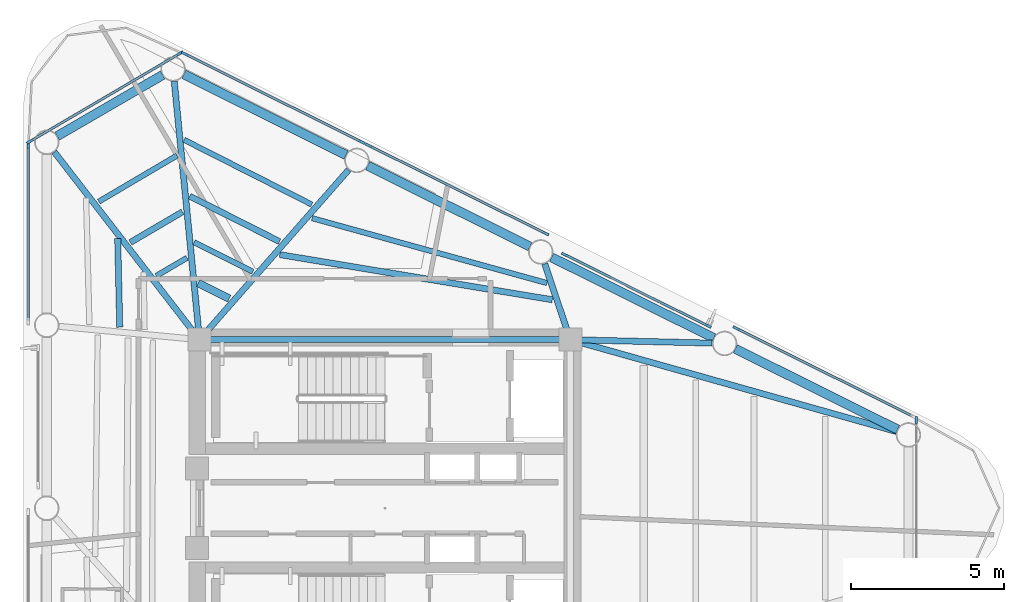
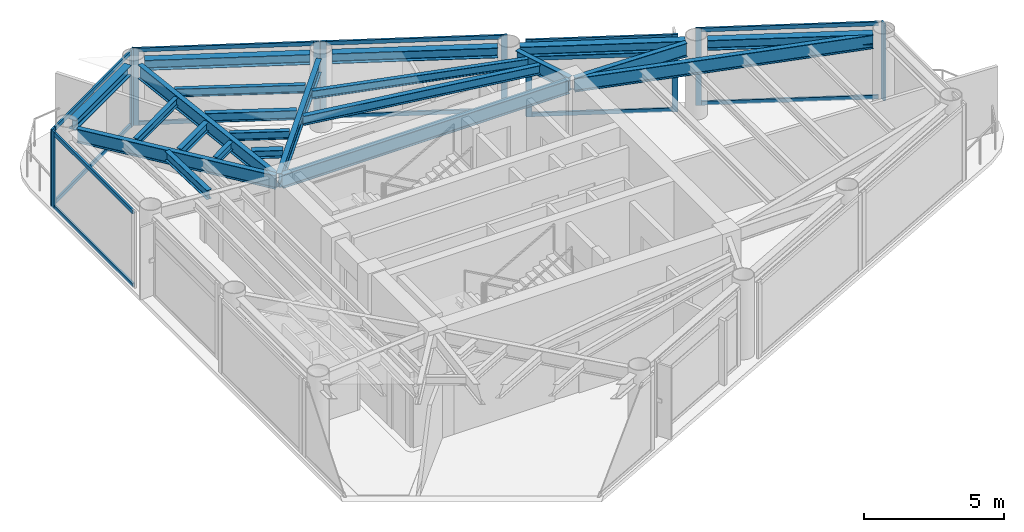
# One storey, part 3 of 10: 24 members, 22 beams, 7 elements without a shape of their own.
"""IFC4 building model written with IfcOpenShell, lengths in metres."""

from ifc_helpers import new_model, si_unit, direction, frame, origin, origin_2d, place, context, subcontext, project, spatial, rectangle, i_section, extrude, source, transform, mapped, material, layer, layer_set, material_profile, profile_set, type_object, element, aggregate, save


model = new_model("IFC4")

# Units and contexts
model_context = context("Model", 3, precision=1e-05, world=origin(), true_north=direction((0.0, 1.0)))
body_context = subcontext(model_context, "Body", "Model", "MODEL_VIEW")
ifc_project = project(units=[si_unit("LENGTHUNIT", "METRE"), si_unit("AREAUNIT", "SQUARE_METRE"), si_unit("VOLUMEUNIT", "CUBIC_METRE"), si_unit("PLANEANGLEUNIT", "RADIAN"), si_unit("MASSUNIT", "GRAM", prefix="KILO")], contexts=[model_context])

# Site, building, storey
site_placement = place(None, origin())
site = spatial("IfcSite", under=ifc_project, at=site_placement, CompositionType="ELEMENT")
building_placement = place(site_placement, origin())
building = spatial("IfcBuilding", under=site, at=building_placement, Name="Yunling Apex Tower", CompositionType="ELEMENT")
storey_placement = place(building_placement, frame((0.0, 0.0, 310.550048828125)))
storey = spatial("IfcBuildingStorey", under=building, at=storey_placement, Name="L76", CompositionType="ELEMENT", Elevation=310.550048828125)

# Beams
ifc_material_1 = material(Name="Steel Q355B", Category="steel")
ifc_material_profile_1 = material_profile(ifc_material_1, i_section(OverallWidth=0.199951171875, OverallDepth=0.60009765625, WebThickness=0.010986328125, FlangeThickness=0.01708984375, FilletRadius=0.02197265625, at=origin_2d()))
ifc_profile_set_1 = profile_set([ifc_material_profile_1], Name="Steel Q355B")
beam_type_1 = type_object("IfcBeamType", Name="BG-PRI-5", PredefinedType="USERDEFINED", material=ifc_profile_set_1)
shared_shape_1 = source(origin(), body_context, "Body", "SweptSolid", [
    extrude(i_section(OverallWidth=0.199951171875, OverallDepth=0.60009765625, WebThickness=0.010986328125, FlangeThickness=0.01708984375, FilletRadius=0.02197265625, at=origin_2d()), origin(), (0.0, 0.0, 1.0), 11.7998046875),
])
beam_1_placement = place(storey_placement, frame((5.89990234375, 5.5, 2.969970703125), z_axis=(-1.0, 0.0, 0.0), x_axis=(0.0, -1.0, 0.0)))
element("IfcBeam", 1, at=beam_1_placement, inside=storey, type_object=beam_type_1, Name="L76 Core Ring Tie Beam 3", ObjectType="GIRDER", PredefinedType="USERDEFINED", context=body_context, shape_type="MappedRepresentation", body=[
    mapped(shared_shape_1, transform((0.0, 0.0, 0.0), scale=1.0)),
])
ifc_material_profile_2 = material_profile(ifc_material_1, i_section(OverallWidth=0.300048828125, OverallDepth=0.43994140625, WebThickness=0.010986328125, FlangeThickness=0.01806640625, FilletRadius=0.02197265625, at=origin_2d()))
ifc_profile_set_2 = profile_set([ifc_material_profile_2], Name="Steel Q355B")
beam_type_2 = type_object("IfcBeamType", Name="BP-SPN-3", PredefinedType="SPANDREL", material=ifc_profile_set_2)
shared_shape_2 = source(origin(), body_context, "Body", "SweptSolid", [
    extrude(i_section(OverallWidth=0.300048828125, OverallDepth=0.43994140625, WebThickness=0.010986328125, FlangeThickness=0.01806640625, FilletRadius=0.02197265625, at=origin_2d()), origin(), (0.0, 0.0, 1.0), 5.914306640625),
])
for number, where, z_axis, x_axis, name in (
    (2, (4.733642578125, 8.539794921875, 3.050048828125), (-0.895267705164, 0.445528602999, 0.0), (-0.445528602999, -0.895267705164, 0.0), "L76 Perimeter Spandrel Beam 8"),
    (3, (-1.2666015625, 11.52587890625, 3.050048828125), (-0.895243044542, 0.445578153861, 0.0), (-0.445578153861, -0.895243044542, 0.0), "L76 Perimeter Spandrel Beam 9"),
):
    element("IfcBeam", number, at=place(storey_placement, frame(where, z_axis=z_axis, x_axis=x_axis)), inside=storey, type_object=beam_type_2, Name=name, PredefinedType="SPANDREL", context=body_context, shape_type="MappedRepresentation", body=[
        mapped(shared_shape_2, transform((0.0, 0.0, 0.0), scale=1.0)),
    ])
shared_shape_3 = source(origin(), body_context, "Body", "SweptSolid", [
    extrude(i_section(OverallWidth=0.300048828125, OverallDepth=0.43994140625, WebThickness=0.010986328125, FlangeThickness=0.01806640625, FilletRadius=0.02197265625, at=origin_2d()), origin(), (0.0, 0.0, 1.0), 5.9140625),
])
for number, where, z_axis, x_axis, name in (
    (4, (16.73388671875, 2.567138671875, 3.050048828125), (-0.895259510924, 0.445545068539, 0.0), (-0.445545068539, -0.895259510924, 0.0), "L76 Perimeter Spandrel Beam 6"),
    (5, (10.733642578125, 5.553466796875, 3.050048828125), (-0.895259510924, 0.445545068539, 0.0), (-0.445545068539, -0.895259510924, 0.0), "L76 Perimeter Spandrel Beam 7"),
):
    element("IfcBeam", number, at=place(storey_placement, frame(where, z_axis=z_axis, x_axis=x_axis)), inside=storey, type_object=beam_type_2, Name=name, PredefinedType="SPANDREL", context=body_context, shape_type="MappedRepresentation", body=[
        mapped(shared_shape_3, transform((0.0, 0.0, 0.0), scale=1.0)),
    ])
shared_shape_4 = source(origin(), body_context, "Body", "SweptSolid", [
    extrude(i_section(OverallWidth=0.300048828125, OverallDepth=0.43994140625, WebThickness=0.010986328125, FlangeThickness=0.01806640625, FilletRadius=0.02197265625, at=origin_2d()), origin(), (0.0, 0.0, 1.0), 3.978515625),
])
beam_2_placement = place(storey_placement, frame((-7.2548828125, 14.138916015625, 3.050048828125), z_axis=(-0.865064744393, -0.501660231639, 0.0), x_axis=(0.501660231639, -0.865064744393, 0.0)))
element("IfcBeam", 6, at=beam_2_placement, inside=storey, type_object=beam_type_2, Name="L76 Perimeter Spandrel Beam 10", PredefinedType="SPANDREL", context=body_context, shape_type="MappedRepresentation", body=[
    mapped(shared_shape_4, transform((0.0, 0.0, 0.0), scale=1.0)),
])
shared_shape_5 = source(origin(), body_context, "Body", "SweptSolid", [
    extrude(i_section(OverallWidth=0.199951171875, OverallDepth=0.60009765625, WebThickness=0.010986328125, FlangeThickness=0.01708984375, FilletRadius=0.02197265625, at=origin_2d()), origin(), (0.0, 0.0, 1.0), 8.390869140625),
])
beam_3_placement = place(storey_placement, frame((-6.874267578125, 13.9306640625, 2.969970703125), z_axis=(0.097296792844, -0.995255411491, 0.0), x_axis=(0.995255411491, 0.097296792844, 0.0)))
element("IfcBeam", 7, at=beam_3_placement, inside=storey, type_object=beam_type_1, Name="L76 Radial Primary Girder R10", ObjectType="GIRDER", PredefinedType="USERDEFINED", context=body_context, shape_type="MappedRepresentation", body=[
    mapped(shared_shape_5, transform((0.0, 0.0, 0.0), scale=1.0)),
])
shared_shape_6 = source(origin(), body_context, "Body", "SweptSolid", [
    extrude(i_section(OverallWidth=0.199951171875, OverallDepth=0.60009765625, WebThickness=0.010986328125, FlangeThickness=0.01708984375, FilletRadius=0.02197265625, at=origin_2d()), origin(), (0.0, 0.0, 1.0), 7.297119140625),
])
beam_4_placement = place(storey_placement, frame((-1.18310546875, 11.043701171875, 2.969970703125), z_axis=(-0.659747259747, -0.751487560281, 0.0), x_axis=(0.751487560281, -0.659747259747, 0.0)))
element("IfcBeam", 8, at=beam_4_placement, inside=storey, type_object=beam_type_1, Name="L76 Radial Primary Girder R09", ObjectType="GIRDER", PredefinedType="USERDEFINED", context=body_context, shape_type="MappedRepresentation", body=[
    mapped(shared_shape_6, transform((0.0, 0.0, 0.0), scale=1.0)),
])
shared_shape_7 = source(origin(), body_context, "Body", "SweptSolid", [
    extrude(i_section(OverallWidth=0.199951171875, OverallDepth=0.60009765625, WebThickness=0.010986328125, FlangeThickness=0.01708984375, FilletRadius=0.02197265625, at=origin_2d()), origin(), (0.0, 0.0, 1.0), 2.533935546875),
])
beam_5_placement = place(storey_placement, frame((5.21630859375, 7.977294921875, 2.969970703125), z_axis=(0.318914628896, -0.947783445454, 0.0), x_axis=(0.947783445454, 0.318914628896, 0.0)))
element("IfcBeam", 9, at=beam_5_placement, inside=storey, type_object=beam_type_1, Name="L76 Radial Primary Girder R08", ObjectType="GIRDER", PredefinedType="USERDEFINED", context=body_context, shape_type="MappedRepresentation", body=[
    mapped(shared_shape_7, transform((0.0, 0.0, 0.0), scale=1.0)),
])
shared_shape_8 = source(origin(), body_context, "Body", "SweptSolid", [
    extrude(i_section(OverallWidth=0.199951171875, OverallDepth=0.60009765625, WebThickness=0.010986328125, FlangeThickness=0.01708984375, FilletRadius=0.02197265625, at=origin_2d()), origin(), (0.0, 0.0, 1.0), 4.5498046875),
])
beam_6_placement = place(storey_placement, frame((10.678466796875, 5.3876953125, 2.969970703125), z_axis=(-0.999705840498, 0.024253504369, 0.0), x_axis=(-0.024253504369, -0.999705840498, 0.0)))
element("IfcBeam", 10, at=beam_6_placement, inside=storey, type_object=beam_type_1, Name="L76 Radial Primary Girder R07", ObjectType="GIRDER", PredefinedType="USERDEFINED", context=body_context, shape_type="MappedRepresentation", body=[
    mapped(shared_shape_8, transform((0.0, 0.0, 0.0), scale=1.0)),
])
shared_shape_9 = source(origin(), body_context, "Body", "SweptSolid", [
    extrude(i_section(OverallWidth=0.199951171875, OverallDepth=0.60009765625, WebThickness=0.010986328125, FlangeThickness=0.01708984375, FilletRadius=0.02197265625, at=origin_2d()), origin(), (0.0, 0.0, 1.0), 10.97802734375),
])
beam_7_placement = place(storey_placement, frame((16.69384765625, 2.502197265625, 2.969970703125), z_axis=(-0.962552702816, 0.271094622414, 0.0), x_axis=(-0.271094622414, -0.962552702816, 0.0)))
element("IfcBeam", 11, at=beam_7_placement, inside=storey, type_object=beam_type_1, Name="L76 Radial Primary Girder R06", ObjectType="GIRDER", PredefinedType="USERDEFINED", context=body_context, shape_type="MappedRepresentation", body=[
    mapped(shared_shape_9, transform((0.0, 0.0, 0.0), scale=1.0)),
])
shared_shape_10 = source(origin(), body_context, "Body", "SweptSolid", [
    extrude(i_section(OverallWidth=0.199951171875, OverallDepth=0.60009765625, WebThickness=0.010986328125, FlangeThickness=0.01708984375, FilletRadius=0.02197265625, at=origin_2d()), origin(), (0.0, 0.0, 1.0), 7.661376953125),
])
beam_8_placement = place(storey_placement, frame((-10.78759765625, 11.62255859375, 2.969970703125), z_axis=(0.611959789037, -0.790888877531, 0.0), x_axis=(0.790888877531, 0.611959789037, 0.0)))
element("IfcBeam", 12, at=beam_8_placement, inside=storey, type_object=beam_type_1, Name="L76 Radial Primary Girder R11", ObjectType="GIRDER", PredefinedType="USERDEFINED", context=body_context, shape_type="MappedRepresentation", body=[
    mapped(shared_shape_10, transform((0.0, 0.0, 0.0), scale=1.0)),
])
ifc_material_profile_3 = material_profile(ifc_material_1, i_section(OverallWidth=0.199951171875, OverallDepth=0.39990234375, WebThickness=0.008056640625, FlangeThickness=0.012939453125, FilletRadius=0.01611328125, at=origin_2d()))
ifc_profile_set_3 = profile_set([ifc_material_profile_3], Name="Steel Q355B")
beam_type_3 = type_object("IfcBeamType", Name="BS-SEC-4", PredefinedType="BEAM", material=ifc_profile_set_3)
shared_shape_11 = source(origin(), body_context, "Body", "SweptSolid", [
    extrude(i_section(OverallWidth=0.199951171875, OverallDepth=0.39990234375, WebThickness=0.008056640625, FlangeThickness=0.012939453125, FilletRadius=0.01611328125, at=origin_2d()), origin(), (0.0, 0.0, 1.0), 3.281494140625),
])
beam_9_placement = place(storey_placement, frame((-3.444091796875, 8.703125, 3.070068359375), z_axis=(-0.892364297468, 0.451315810275, 0.0), x_axis=(-0.451315810275, -0.892364297468, 0.0)))
element("IfcBeam", 13, at=beam_9_placement, inside=storey, type_object=beam_type_3, Name="L76 Composite Floor Beam BS-9", PredefinedType="BEAM", context=body_context, shape_type="MappedRepresentation", body=[
    mapped(shared_shape_11, transform((0.0, 0.0, 0.0), scale=1.0)),
])
ifc_material_profile_4 = material_profile(ifc_material_1, i_section(OverallWidth=0.175048828125, OverallDepth=0.35009765625, WebThickness=0.007080078125, FlangeThickness=0.010986328125, FilletRadius=0.013916015625, at=origin_2d()))
ifc_profile_set_4 = profile_set([ifc_material_profile_4], Name="Steel Q355B")
beam_type_4 = type_object("IfcBeamType", Name="BJ-JST-1", PredefinedType="JOIST", material=ifc_profile_set_4)
shared_shape_12 = source(origin(), body_context, "Body", "SweptSolid", [
    extrude(i_section(OverallWidth=0.175048828125, OverallDepth=0.35009765625, WebThickness=0.007080078125, FlangeThickness=0.010986328125, FilletRadius=0.013916015625, at=origin_2d()), origin(), (0.0, 0.0, 1.0), 4.67138671875),
])
beam_10_placement = place(storey_placement, frame((-2.385009765625, 9.90966796875, 3.094970703125), z_axis=(-0.892031280848, 0.45197366515, 0.0), x_axis=(-0.45197366515, -0.892031280848, 0.0)))
element("IfcBeam", 14, at=beam_10_placement, inside=storey, type_object=beam_type_4, Name="L76 Composite Floor Joist BJ1-9", PredefinedType="JOIST", context=body_context, shape_type="MappedRepresentation", body=[
    mapped(shared_shape_12, transform((0.0, 0.0, 0.0), scale=1.0)),
])
shared_shape_13 = source(origin(), body_context, "Body", "SweptSolid", [
    extrude(i_section(OverallWidth=0.175048828125, OverallDepth=0.35009765625, WebThickness=0.007080078125, FlangeThickness=0.010986328125, FilletRadius=0.013916015625, at=origin_2d()), origin(), (0.0, 0.0, 1.0), 2.143798828125),
])
beam_11_placement = place(storey_placement, frame((-4.310791015625, 7.7158203125, 3.094970703125), z_axis=(-0.892941835578, 0.45017205408, 0.0), x_axis=(-0.45017205408, -0.892941835578, 0.0)))
element("IfcBeam", 15, at=beam_11_placement, inside=storey, type_object=beam_type_4, Name="L76 Composite Floor Joist BJ3-9", PredefinedType="JOIST", context=body_context, shape_type="MappedRepresentation", body=[
    mapped(shared_shape_13, transform((0.0, 0.0, 0.0), scale=1.0)),
])
ifc_material_profile_5 = material_profile(ifc_material_1, i_section(OverallWidth=0.25, OverallDepth=0.340087890625, WebThickness=0.009033203125, FlangeThickness=0.013916015625, FilletRadius=0.01806640625, at=origin_2d()))
ifc_profile_set_5 = profile_set([ifc_material_profile_5], Name="Steel Q355B")
beam_type_5 = type_object("IfcBeamType", Name="BJ-JST-2", PredefinedType="JOIST", material=ifc_profile_set_5)
shared_shape_14 = source(origin(), body_context, "Body", "SweptSolid", [
    extrude(i_section(OverallWidth=0.25, OverallDepth=0.340087890625, WebThickness=0.009033203125, FlangeThickness=0.013916015625, FilletRadius=0.01806640625, at=origin_2d()), origin(), (0.0, 0.0, 1.0), 1.1328125),
])
beam_12_placement = place(storey_placement, frame((-5.081298828125, 6.838134765625, 3.099853515625), z_axis=(-0.894211562533, 0.447644592765, 0.0), x_axis=(-0.447644592765, -0.894211562533, 0.0)))
element("IfcBeam", 16, at=beam_12_placement, inside=storey, type_object=beam_type_5, Name="L76 Composite Floor Joist BJ2-9", PredefinedType="JOIST", context=body_context, shape_type="MappedRepresentation", body=[
    mapped(shared_shape_14, transform((0.0, 0.0, 0.0), scale=1.0)),
])
shared_shape_15 = source(origin(), body_context, "Body", "SweptSolid", [
    extrude(i_section(OverallWidth=0.199951171875, OverallDepth=0.39990234375, WebThickness=0.008056640625, FlangeThickness=0.012939453125, FilletRadius=0.01611328125, at=origin_2d()), origin(), (0.0, 0.0, 1.0), 9.01611328125),
])
beam_13_placement = place(storey_placement, frame((5.462646484375, 6.802734375, 3.070068359375), z_axis=(-0.986561729833, 0.163388962996, 0.0), x_axis=(-0.163388962996, -0.986561729833, 0.0)))
element("IfcBeam", 17, at=beam_13_placement, inside=storey, type_object=beam_type_3, Name="L76 Composite Floor Beam BS-8", PredefinedType="BEAM", context=body_context, shape_type="MappedRepresentation", body=[
    mapped(shared_shape_15, transform((0.0, 0.0, 0.0), scale=1.0)),
])
shared_shape_16 = source(origin(), body_context, "Body", "SweptSolid", [
    extrude(i_section(OverallWidth=0.175048828125, OverallDepth=0.35009765625, WebThickness=0.007080078125, FlangeThickness=0.010986328125, FilletRadius=0.013916015625, at=origin_2d()), origin(), (0.0, 0.0, 1.0), 7.952392578125),
])
beam_14_placement = place(storey_placement, frame((5.288330078125, 7.34765625, 3.094970703125), z_axis=(-0.963874198485, 0.266357897377, 0.0), x_axis=(-0.266357897377, -0.963874198485, 0.0)))
element("IfcBeam", 18, at=beam_14_placement, inside=storey, type_object=beam_type_4, Name="L76 Composite Floor Joist BJ1-8", PredefinedType="JOIST", context=body_context, shape_type="MappedRepresentation", body=[
    mapped(shared_shape_16, transform((0.0, 0.0, 0.0), scale=1.0)),
])
shared_shape_17 = source(origin(), body_context, "Body", "SweptSolid", [
    extrude(i_section(OverallWidth=0.199951171875, OverallDepth=0.39990234375, WebThickness=0.008056640625, FlangeThickness=0.012939453125, FilletRadius=0.01611328125, at=origin_2d()), origin(), (0.0, 0.0, 1.0), 1.9736328125),
])
beam_15_placement = place(storey_placement, frame((-6.60400390625, 9.674072265625, 3.070068359375), z_axis=(-0.862118606545, -0.506706530694, 0.0), x_axis=(0.506706530694, -0.862118606545, 0.0)))
element("IfcBeam", 19, at=beam_15_placement, inside=storey, type_object=beam_type_3, Name="L76 Composite Floor Beam BS-10", PredefinedType="BEAM", context=body_context, shape_type="MappedRepresentation", body=[
    mapped(shared_shape_17, transform((0.0, 0.0, 0.0), scale=1.0)),
])
shared_shape_18 = source(origin(), body_context, "Body", "SweptSolid", [
    extrude(i_section(OverallWidth=0.175048828125, OverallDepth=0.35009765625, WebThickness=0.007080078125, FlangeThickness=0.010986328125, FilletRadius=0.013916015625, at=origin_2d()), origin(), (0.0, 0.0, 1.0), 2.96337890625),
])
beam_16_placement = place(storey_placement, frame((-6.783447265625, 11.510986328125, 3.094970703125), z_axis=(-0.861658767358, -0.507488097038, 0.0), x_axis=(0.507488097038, -0.861658767358, 0.0)))
element("IfcBeam", 20, at=beam_16_placement, inside=storey, type_object=beam_type_4, Name="L76 Composite Floor Joist BJ1-10", PredefinedType="JOIST", context=body_context, shape_type="MappedRepresentation", body=[
    mapped(shared_shape_18, transform((0.0, 0.0, 0.0), scale=1.0)),
])
shared_shape_19 = source(origin(), body_context, "Body", "SweptSolid", [
    extrude(i_section(OverallWidth=0.175048828125, OverallDepth=0.35009765625, WebThickness=0.007080078125, FlangeThickness=0.010986328125, FilletRadius=0.013916015625, at=origin_2d()), origin(), (0.0, 0.0, 1.0), 1.16357421875),
])
beam_17_placement = place(storey_placement, frame((-6.457275390625, 8.171142578125, 3.094970703125), z_axis=(-0.862833680606, -0.50548792232, 0.0), x_axis=(0.50548792232, -0.862833680606, 0.0)))
element("IfcBeam", 21, at=beam_17_placement, inside=storey, type_object=beam_type_4, Name="L76 Composite Floor Joist BJ3-10", PredefinedType="JOIST", context=body_context, shape_type="MappedRepresentation", body=[
    mapped(shared_shape_19, transform((0.0, 0.0, 0.0), scale=1.0)),
])
shared_shape_20 = source(origin(), body_context, "Body", "SweptSolid", [
    extrude(i_section(OverallWidth=0.199951171875, OverallDepth=0.39990234375, WebThickness=0.008056640625, FlangeThickness=0.012939453125, FilletRadius=0.01611328125, at=origin_2d()), origin(), (0.0, 0.0, 1.0), 2.890869140625),
])
beam_18_placement = place(storey_placement, frame((-8.720947265625, 8.796630859375, 3.070068359375), z_axis=(0.023139604217, -0.999732243512, 0.0), x_axis=(0.999732243512, 0.023139604217, 0.0)))
element("IfcBeam", 22, at=beam_18_placement, inside=storey, type_object=beam_type_3, Name="L76 Composite Floor Beam BS-11", PredefinedType="BEAM", context=body_context, shape_type="MappedRepresentation", body=[
    mapped(shared_shape_20, transform((0.0, 0.0, 0.0), scale=1.0)),
])

# Curtain wall, members
ifc_material_2 = material(Name="Bronze anodised aluminium", Category="aluminium")
ifc_layer = layer(ifc_material_2, 0.219970703125)
ifc_layer_set = layer_set([ifc_layer], Name="Bronze anodised aluminium")
curtain_wall_type = type_object("IfcCurtainWallType", Name="CW-SYS-4", PredefinedType="NOTDEFINED", material=ifc_layer_set)
curtain_wall_1_placement = place(storey_placement, origin())
curtain_wall_1 = element("IfcCurtainWall", 23, at=curtain_wall_1_placement, inside=storey, type_object=curtain_wall_type, Name="CW-L76-F2-B4", PredefinedType="NOTDEFINED")
ifc_material_profile_6 = material_profile(ifc_material_2, rectangle(XDim=0.080078125, YDim=0.169921875, at=origin_2d()))
ifc_profile_set_6 = profile_set([ifc_material_profile_6], Name="Bronze anodised aluminium")
member_type_1 = type_object("IfcMemberType", Name="CW-TRN-4", PredefinedType="USERDEFINED", material=ifc_profile_set_6)
shared_shape_21 = source(origin(), body_context, "Body", "SweptSolid", [
    extrude(rectangle(XDim=0.080078125, YDim=0.169921875, at=origin_2d()), origin(), (0.0, 0.0, 1.0), 6.39013671875),
])
member_1_placement = place(storey_placement, frame((-0.78173828125, 11.966064453125, 0.0400390625), z_axis=(-0.89525092504, 0.445562320238, 0.0), x_axis=(-0.445562320238, -0.89525092504, 0.0)))
member_1 = element("IfcMember", 24, at=member_1_placement, type_object=member_type_1, Name="CW-SYS-4 transom 1.1", ObjectType="TRANSOM", PredefinedType="USERDEFINED", context=body_context, shape_type="MappedRepresentation", body=[
    mapped(shared_shape_21, transform((0.0, 0.0, 0.0), scale=1.0)),
])
member_2_placement = place(storey_placement, frame((-0.78173828125, 11.966064453125, 3.22998046875), z_axis=(-0.89525092504, 0.445562320238, 0.0), x_axis=(-0.445562320238, -0.89525092504, 0.0)))
member_2 = element("IfcMember", 25, at=member_2_placement, type_object=member_type_1, Name="CW-SYS-4 transom 1.2", ObjectType="TRANSOM", PredefinedType="USERDEFINED", context=body_context, shape_type="MappedRepresentation", body=[
    mapped(shared_shape_21, transform((0.0, 0.0, 0.0), scale=1.0)),
])

curtain_wall_2_placement = place(storey_placement, origin())
curtain_wall_2 = element("IfcCurtainWall", 26, at=curtain_wall_2_placement, inside=storey, type_object=curtain_wall_type, Name="CW-L76-F2-B1", PredefinedType="NOTDEFINED")
shared_shape_22 = source(origin(), body_context, "Body", "SweptSolid", [
    extrude(rectangle(XDim=0.080078125, YDim=0.169921875, at=origin_2d()), origin(), (0.0, 0.0, 1.0), 6.390380859375),
])
member_3_placement = place(storey_placement, frame((17.21875, 3.007080078125, 0.0400390625), z_axis=(-0.895258509594, 0.445547080565, 0.0), x_axis=(-0.445547080565, -0.895258509594, 0.0)))
member_3 = element("IfcMember", 27, at=member_3_placement, type_object=member_type_1, Name="CW-SYS-4 transom 1.1", ObjectType="TRANSOM", PredefinedType="USERDEFINED", context=body_context, shape_type="MappedRepresentation", body=[
    mapped(shared_shape_22, transform((0.0, 0.0, 0.0), scale=1.0)),
])
member_4_placement = place(storey_placement, frame((17.21875, 3.007080078125, 3.22998046875), z_axis=(-0.895258509594, 0.445547080565, 0.0), x_axis=(-0.445547080565, -0.895258509594, 0.0)))
member_4 = element("IfcMember", 28, at=member_4_placement, type_object=member_type_1, Name="CW-SYS-4 transom 1.2", ObjectType="TRANSOM", PredefinedType="USERDEFINED", context=body_context, shape_type="MappedRepresentation", body=[
    mapped(shared_shape_22, transform((0.0, 0.0, 0.0), scale=1.0)),
])

curtain_wall_3_placement = place(storey_placement, origin())
curtain_wall_3 = element("IfcCurtainWall", 29, at=curtain_wall_3_placement, inside=storey, type_object=curtain_wall_type, Name="CW-L76-F2-B3", PredefinedType="NOTDEFINED")
member_5_placement = place(storey_placement, frame((5.218505859375, 8.979736328125, 0.0400390625), z_axis=(-0.895243270113, 0.44557770065, 0.0), x_axis=(-0.44557770065, -0.895243270113, 0.0)))
member_5 = element("IfcMember", 30, at=member_5_placement, type_object=member_type_1, Name="CW-SYS-4 transom 1.1", ObjectType="TRANSOM", PredefinedType="USERDEFINED", context=body_context, shape_type="MappedRepresentation", body=[
    mapped(shared_shape_22, transform((0.0, 0.0, 0.0), scale=1.0)),
])
member_6_placement = place(storey_placement, frame((5.218505859375, 8.979736328125, 3.22998046875), z_axis=(-0.895243270113, 0.44557770065, 0.0), x_axis=(-0.44557770065, -0.895243270113, 0.0)))
member_6 = element("IfcMember", 31, at=member_6_placement, type_object=member_type_1, Name="CW-SYS-4 transom 1.2", ObjectType="TRANSOM", PredefinedType="USERDEFINED", context=body_context, shape_type="MappedRepresentation", body=[
    mapped(shared_shape_22, transform((0.0, 0.0, 0.0), scale=1.0)),
])

curtain_wall_4_placement = place(storey_placement, origin())
curtain_wall_4 = element("IfcCurtainWall", 32, at=curtain_wall_4_placement, inside=storey, type_object=curtain_wall_type, Name="CW-L76-F2-B2", PredefinedType="NOTDEFINED")
shared_shape_23 = source(origin(), body_context, "Body", "SweptSolid", [
    extrude(rectangle(XDim=0.080078125, YDim=0.169921875, at=origin_2d()), origin(), (0.0, 0.0, 1.0), 5.150146484375),
])
member_7_placement = place(storey_placement, frame((10.511962890625, 5.96533203125, 0.0400390625), z_axis=(-0.895231613188, 0.445601120676, 0.0), x_axis=(-0.445601120676, -0.895231613188, 0.0)))
member_7 = element("IfcMember", 33, at=member_7_placement, type_object=member_type_1, Name="CW-SYS-4 transom 1.1", ObjectType="TRANSOM", PredefinedType="USERDEFINED", context=body_context, shape_type="MappedRepresentation", body=[
    mapped(shared_shape_23, transform((0.0, 0.0, 0.0), scale=1.0)),
])
member_8_placement = place(storey_placement, frame((10.511962890625, 5.96533203125, 2.485107421875), z_axis=(-0.895231613188, 0.445601120676, 0.0), x_axis=(-0.445601120676, -0.895231613188, 0.0)))
member_8 = element("IfcMember", 34, at=member_8_placement, type_object=member_type_1, Name="CW-SYS-4 transom 1.2", ObjectType="TRANSOM", PredefinedType="USERDEFINED", context=body_context, shape_type="MappedRepresentation", body=[
    mapped(shared_shape_23, transform((0.0, 0.0, 0.0), scale=1.0)),
])
member_9_placement = place(storey_placement, frame((10.511962890625, 5.96533203125, 3.22998046875), z_axis=(-0.895231613188, 0.445601120676, 0.0), x_axis=(-0.445601120676, -0.895231613188, 0.0)))
member_9 = element("IfcMember", 35, at=member_9_placement, type_object=member_type_1, Name="CW-SYS-4 transom 1.3", ObjectType="TRANSOM", PredefinedType="USERDEFINED", context=body_context, shape_type="MappedRepresentation", body=[
    mapped(shared_shape_23, transform((0.0, 0.0, 0.0), scale=1.0)),
])

curtain_wall_5_placement = place(storey_placement, origin())
curtain_wall_5 = element("IfcCurtainWall", 36, at=curtain_wall_5_placement, inside=storey, type_object=curtain_wall_type, Name="CW-L76-CRN2", PredefinedType="NOTDEFINED")
shared_shape_24 = source(origin(), body_context, "Body", "SweptSolid", [
    extrude(rectangle(XDim=0.080078125, YDim=0.169921875, at=origin_2d()), origin(), (0.0, 0.0, 1.0), 5.61767578125),
])
member_10_placement = place(storey_placement, frame((-6.716552734375, 14.82666015625, 0.0400390625), z_axis=(-0.862486715055, -0.506079703558, 0.0), x_axis=(0.506079703558, -0.862486715055, 0.0)))
member_10 = element("IfcMember", 37, at=member_10_placement, type_object=member_type_1, Name="CW-SYS-4 transom 1.1", ObjectType="TRANSOM", PredefinedType="USERDEFINED", context=body_context, shape_type="MappedRepresentation", body=[
    mapped(shared_shape_24, transform((0.0, 0.0, 0.0), scale=1.0)),
])
member_11_placement = place(storey_placement, frame((-6.716552734375, 14.82666015625, 3.22998046875), z_axis=(-0.862486715055, -0.506079703558, 0.0), x_axis=(0.506079703558, -0.862486715055, 0.0)))
member_11 = element("IfcMember", 38, at=member_11_placement, type_object=member_type_1, Name="CW-SYS-4 transom 1.2", ObjectType="TRANSOM", PredefinedType="USERDEFINED", context=body_context, shape_type="MappedRepresentation", body=[
    mapped(shared_shape_24, transform((0.0, 0.0, 0.0), scale=1.0)),
])

curtain_wall_6_placement = place(storey_placement, origin())
curtain_wall_6 = element("IfcCurtainWall", 39, at=curtain_wall_6_placement, inside=storey, type_object=curtain_wall_type, Name="CW-L76-F3-B1", PredefinedType="NOTDEFINED")
shared_shape_25 = source(origin(), body_context, "Body", "SweptSolid", [
    extrude(rectangle(XDim=0.080078125, YDim=0.169921875, at=origin_2d()), origin(), (0.0, 0.0, 1.0), 5.66064453125),
])
member_12_placement = place(storey_placement, frame((-11.647216796875, 11.789306640625, 0.0400390625), z_axis=(0.0, -1.0, 0.0), x_axis=(1.0, 0.0, 0.0)))
member_12 = element("IfcMember", 40, at=member_12_placement, type_object=member_type_1, Name="CW-SYS-4 transom 1.1", ObjectType="TRANSOM", PredefinedType="USERDEFINED", context=body_context, shape_type="MappedRepresentation", body=[
    mapped(shared_shape_25, transform((0.0, 0.0, 0.0), scale=1.0)),
])
member_13_placement = place(storey_placement, frame((-11.647216796875, 11.789306640625, 3.22998046875), z_axis=(0.0, -1.0, 0.0), x_axis=(1.0, 0.0, 0.0)))
member_13 = element("IfcMember", 41, at=member_13_placement, type_object=member_type_1, Name="CW-SYS-4 transom 1.2", ObjectType="TRANSOM", PredefinedType="USERDEFINED", context=body_context, shape_type="MappedRepresentation", body=[
    mapped(shared_shape_25, transform((0.0, 0.0, 0.0), scale=1.0)),
])

# Curtain wall, member
curtain_wall_7_placement = place(storey_placement, origin())
curtain_wall_7 = element("IfcCurtainWall", 42, at=curtain_wall_7_placement, inside=storey, type_object=curtain_wall_type, Name="CW-L76-CRN1", PredefinedType="NOTDEFINED")
ifc_material_profile_7 = material_profile(ifc_material_2, rectangle(XDim=0.080078125, YDim=0.219970703125, at=origin_2d()))
ifc_profile_set_7 = profile_set([ifc_material_profile_7], Name="Bronze anodised aluminium")
member_type_2 = type_object("IfcMemberType", Name="CW-MUL-4", PredefinedType="MULLION", material=ifc_profile_set_7)
shared_shape_26 = source(origin(), body_context, "Body", "SweptSolid", [
    extrude(rectangle(XDim=0.080078125, YDim=0.219970703125, at=origin_2d()), origin(), (0.0, 0.0, 1.0), 3.3701171875),
])
member_14_placement = place(storey_placement, frame((17.349365234375, 2.879638671875, -0.050048828125), z_axis=(0.0, 0.0, 1.0), x_axis=(-1.0, 0.0, 0.0)))
member_14 = element("IfcMember", 43, at=member_14_placement, type_object=member_type_2, Name="CW-SYS-4 mullion 2", PredefinedType="MULLION", context=body_context, shape_type="MappedRepresentation", body=[
    mapped(shared_shape_26, transform((0.0, 0.0, 0.0), scale=1.0)),
])
aggregate(curtain_wall_7, [member_14])

# Member
member_15_placement = place(storey_placement, frame((11.465576171875, 5.870361328125, -0.050048828125), z_axis=(0.0, 0.0, 1.0), x_axis=(-0.445568135078, -0.895248030996, 0.0)))
member_15 = element("IfcMember", 44, at=member_15_placement, type_object=member_type_2, Name="CW-SYS-4 mullion 2", PredefinedType="MULLION", context=body_context, shape_type="MappedRepresentation", body=[
    mapped(shared_shape_26, transform((0.0, 0.0, 0.0), scale=1.0)),
])

aggregate(curtain_wall_2, [member_15, member_3, member_4])

member_16_placement = place(storey_placement, frame((10.544189453125, 5.94921875, -0.050048828125), z_axis=(0.0, 0.0, 1.0), x_axis=(-0.445583360305, -0.895240453185, 0.0)))
member_16 = element("IfcMember", 45, at=member_16_placement, type_object=member_type_2, Name="CW-SYS-4 mullion 1", PredefinedType="MULLION", context=body_context, shape_type="MappedRepresentation", body=[
    mapped(shared_shape_26, transform((0.0, 0.0, 0.0), scale=1.0)),
])

member_17_placement = place(storey_placement, frame((5.869140625, 8.276123046875, -0.050048828125), z_axis=(0.0, 0.0, 1.0), x_axis=(-0.445583360305, -0.895240453185, 0.0)))
member_17 = element("IfcMember", 46, at=member_17_placement, type_object=member_type_2, Name="CW-SYS-4 mullion 2", PredefinedType="MULLION", context=body_context, shape_type="MappedRepresentation", body=[
    mapped(shared_shape_26, transform((0.0, 0.0, 0.0), scale=1.0)),
])

aggregate(curtain_wall_4, [member_16, member_17, member_7, member_8, member_9])

member_18_placement = place(storey_placement, frame((5.250732421875, 8.963623046875, -0.050048828125), z_axis=(0.0, 0.0, 1.0), x_axis=(-0.445562037917, -0.895251065549, 0.0)))
member_18 = element("IfcMember", 47, at=member_18_placement, type_object=member_type_2, Name="CW-SYS-4 mullion 1", PredefinedType="MULLION", context=body_context, shape_type="MappedRepresentation", body=[
    mapped(shared_shape_26, transform((0.0, 0.0, 0.0), scale=1.0)),
])

member_19_placement = place(storey_placement, frame((-0.53466796875, 11.843017578125, -0.050048828125), z_axis=(0.0, 0.0, 1.0), x_axis=(-0.445562037917, -0.895251065549, 0.0)))
member_19 = element("IfcMember", 48, at=member_19_placement, type_object=member_type_2, Name="CW-SYS-4 mullion 2", PredefinedType="MULLION", context=body_context, shape_type="MappedRepresentation", body=[
    mapped(shared_shape_26, transform((0.0, 0.0, 0.0), scale=1.0)),
])

aggregate(curtain_wall_3, [member_18, member_19, member_5, member_6])

member_20_placement = place(storey_placement, frame((-0.74951171875, 11.949951171875, -0.050048828125), z_axis=(0.0, 0.0, 1.0), x_axis=(-0.445568135078, -0.895248030996, 0.0)))
member_20 = element("IfcMember", 49, at=member_20_placement, type_object=member_type_2, Name="CW-SYS-4 mullion 1", PredefinedType="MULLION", context=body_context, shape_type="MappedRepresentation", body=[
    mapped(shared_shape_26, transform((0.0, 0.0, 0.0), scale=1.0)),
])

member_21_placement = place(storey_placement, frame((-6.534912109375, 14.829345703125, -0.050048828125), z_axis=(0.0, 0.0, 1.0), x_axis=(-0.445568135078, -0.895248030996, 0.0)))
member_21 = element("IfcMember", 50, at=member_21_placement, type_object=member_type_2, Name="CW-SYS-4 mullion 2", PredefinedType="MULLION", context=body_context, shape_type="MappedRepresentation", body=[
    mapped(shared_shape_26, transform((0.0, 0.0, 0.0), scale=1.0)),
])

aggregate(curtain_wall_1, [member_20, member_21, member_1, member_2])

member_22_placement = place(storey_placement, frame((-6.685546875, 14.8447265625, -0.050048828125), z_axis=(0.0, 0.0, 1.0), x_axis=(0.506057076658, -0.862499991399, 0.0)))
member_22 = element("IfcMember", 51, at=member_22_placement, type_object=member_type_2, Name="CW-SYS-4 mullion 1", PredefinedType="MULLION", context=body_context, shape_type="MappedRepresentation", body=[
    mapped(shared_shape_26, transform((0.0, 0.0, 0.0), scale=1.0)),
])

member_23_placement = place(storey_placement, frame((-11.5927734375, 11.965576171875, -0.050048828125), z_axis=(0.0, 0.0, 1.0), x_axis=(0.506057076658, -0.862499991399, 0.0)))
member_23 = element("IfcMember", 52, at=member_23_placement, type_object=member_type_2, Name="CW-SYS-4 mullion 2", PredefinedType="MULLION", context=body_context, shape_type="MappedRepresentation", body=[
    mapped(shared_shape_26, transform((0.0, 0.0, 0.0), scale=1.0)),
])

aggregate(curtain_wall_5, [member_22, member_23, member_10, member_11])

member_24_placement = place(storey_placement, frame((-11.647216796875, 11.8251953125, -0.050048828125), z_axis=(0.0, 0.0, 1.0), x_axis=(1.0, 0.0, 0.0)))
member_24 = element("IfcMember", 53, at=member_24_placement, type_object=member_type_2, Name="CW-SYS-4 mullion 1", PredefinedType="MULLION", context=body_context, shape_type="MappedRepresentation", body=[
    mapped(shared_shape_26, transform((0.0, 0.0, 0.0), scale=1.0)),
])

aggregate(curtain_wall_6, [member_24, member_12, member_13])

save(model, "model.ifc")
